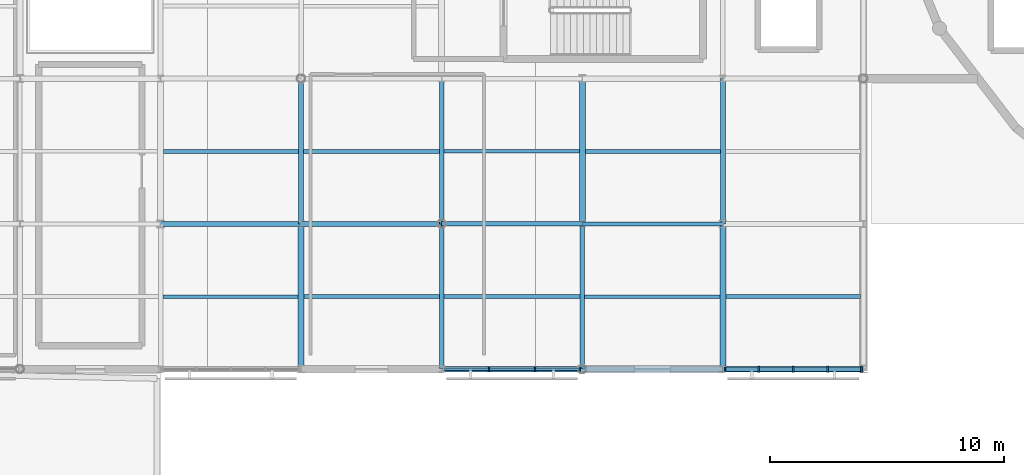
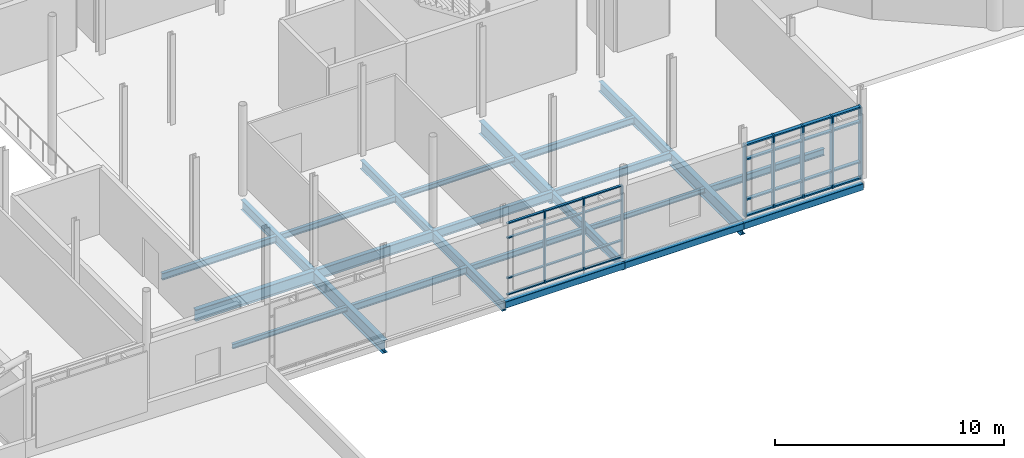
# One storey, part 23 of 84: 36 members, 24 beams, 2 elements without a shape of their own.
"""IFC4 building model written with IfcOpenShell, lengths in metres."""

from ifc_helpers import new_model, si_unit, direction, frame, origin, origin_2d, place, context, subcontext, project, spatial, rectangle, hollow_rectangle, i_section, extrude, material, layer, layer_set, material_profile, profile_set, type_object, element, aggregate, save


model = new_model("IFC4")

# Units and contexts
model_context = context("Model", 3, precision=1e-05, world=origin(), true_north=direction((0.0, 1.0)))
body_context = subcontext(model_context, "Body", "Model", "MODEL_VIEW")
ifc_project = project(units=[si_unit("LENGTHUNIT", "METRE"), si_unit("AREAUNIT", "SQUARE_METRE"), si_unit("VOLUMEUNIT", "CUBIC_METRE"), si_unit("PLANEANGLEUNIT", "RADIAN"), si_unit("MASSUNIT", "GRAM", prefix="KILO")], contexts=[model_context])

# Site, building, storey
site_placement = place(None, origin())
site = spatial("IfcSite", under=ifc_project, at=site_placement, CompositionType="ELEMENT")
building_placement = place(site_placement, origin())
building = spatial("IfcBuilding", under=site, at=building_placement, Name="Mirzam Square Science Centre", CompositionType="ELEMENT")
storey_placement = place(building_placement, frame((0.0, 0.0, 10.800048828125)))
storey = spatial("IfcBuildingStorey", under=building, at=storey_placement, Name="L02", CompositionType="ELEMENT", Elevation=10.800048828125)

# Beams
ifc_material_1 = material(Name="Steel S355", Category="steel")
ifc_material_profile_1 = material_profile(ifc_material_1, i_section(OverallWidth=0.1787109375, OverallDepth=0.409423828125, WebThickness=0.0087890625, FlangeThickness=0.014404296875, FilletRadius=0.01025390625, at=origin_2d()), Name="406x178x67UB")
ifc_profile_set_1 = profile_set([ifc_material_profile_1], Name="Steel S355")
beam_type_1 = type_object("IfcBeamType", Name="BM-UB406", PredefinedType="BEAM", material=ifc_profile_set_1)
beam_1_placement = place(storey_placement, frame((48.0, 43.39990234375, -0.46484375), z_axis=(1.0, 0.0, 0.0), x_axis=(0.0, 1.0, 0.0)))
element("IfcBeam", 1, at=beam_1_placement, inside=storey, type_object=beam_type_1, Name="L02 girder X9-8", PredefinedType="BEAM", context=body_context, shape_type="SweptSolid", body=[
    extrude(i_section(OverallWidth=0.1787109375, OverallDepth=0.409423828125, WebThickness=0.0087890625, FlangeThickness=0.014404296875, FilletRadius=0.01025390625, at=origin_2d()), origin(), (0.0, 0.0, 1.0), 6.0),
])
ifc_material_profile_2 = material_profile(ifc_material_1, i_section(OverallWidth=0.19140625, OverallDepth=0.4599609375, WebThickness=0.010009765625, FlangeThickness=0.01611328125, FilletRadius=0.01025390625, at=origin_2d()), Name="457x191x82UB")
ifc_profile_set_2 = profile_set([ifc_material_profile_2], Name="Steel S355")
beam_type_2 = type_object("IfcBeamType", Name="BM-UB457", PredefinedType="BEAM", material=ifc_profile_set_2)
beam_2_placement = place(storey_placement, frame((42.0, 43.39990234375, -0.489990234375), z_axis=(1.0, 0.0, 0.0), x_axis=(0.0, 1.0, 0.0)))
element("IfcBeam", 2, at=beam_2_placement, inside=storey, type_object=beam_type_2, Name="L02 girder X8-8", PredefinedType="BEAM", context=body_context, shape_type="SweptSolid", body=[
    extrude(i_section(OverallWidth=0.19140625, OverallDepth=0.4599609375, WebThickness=0.010009765625, FlangeThickness=0.01611328125, FilletRadius=0.01025390625, at=origin_2d()), origin(), (0.0, 0.0, 1.0), 6.0),
])
beam_3_placement = place(storey_placement, frame((42.0, 43.39990234375, -0.489990234375), z_axis=(0.0, 1.0, 0.0), x_axis=(-1.0, 0.0, 0.0)))
element("IfcBeam", 3, at=beam_3_placement, inside=storey, type_object=beam_type_2, Name="L02 girder Y8-8", PredefinedType="BEAM", context=body_context, shape_type="SweptSolid", body=[
    extrude(i_section(OverallWidth=0.19140625, OverallDepth=0.4599609375, WebThickness=0.010009765625, FlangeThickness=0.01611328125, FilletRadius=0.01025390625, at=origin_2d()), origin(), (0.0, 0.0, 1.0), 6.2001953125),
])
beam_4_placement = place(storey_placement, frame((48.0, 37.199951171875, -0.489990234375), z_axis=(0.0, 1.0, 0.0), x_axis=(-1.0, 0.0, 0.0)))
element("IfcBeam", 4, at=beam_4_placement, inside=storey, type_object=beam_type_2, Name="L02 girder Y9-7", PredefinedType="BEAM", context=body_context, shape_type="SweptSolid", body=[
    extrude(i_section(OverallWidth=0.19140625, OverallDepth=0.4599609375, WebThickness=0.010009765625, FlangeThickness=0.01611328125, FilletRadius=0.01025390625, at=origin_2d()), origin(), (0.0, 0.0, 1.0), 6.199951171875),
])
ifc_material_profile_3 = material_profile(ifc_material_1, i_section(OverallWidth=0.2099609375, OverallDepth=0.53662109375, WebThickness=0.0107421875, FlangeThickness=0.017333984375, FilletRadius=0.0126953125, at=origin_2d()), Name="533x210x101UB")
ifc_profile_set_3 = profile_set([ifc_material_profile_3], Name="Steel S355")
beam_type_3 = type_object("IfcBeamType", Name="BM-UB533", PredefinedType="BEAM", material=ifc_profile_set_3)
beam_5_placement = place(storey_placement, frame((36.0, 43.39990234375, -0.528564453125), z_axis=(1.0, 0.0, 0.0), x_axis=(0.0, 1.0, 0.0)))
element("IfcBeam", 5, at=beam_5_placement, inside=storey, type_object=beam_type_3, Name="L02 girder X7-8", PredefinedType="BEAM", context=body_context, shape_type="SweptSolid", body=[
    extrude(i_section(OverallWidth=0.2099609375, OverallDepth=0.53662109375, WebThickness=0.0107421875, FlangeThickness=0.017333984375, FilletRadius=0.0126953125, at=origin_2d()), origin(), (0.0, 0.0, 1.0), 6.0),
])
beam_6_placement = place(storey_placement, frame((36.0, 43.39990234375, -0.528564453125), z_axis=(0.0, 1.0, 0.0), x_axis=(-1.0, 0.0, 0.0)))
element("IfcBeam", 6, at=beam_6_placement, inside=storey, type_object=beam_type_3, Name="L02 girder Y7-8", PredefinedType="BEAM", context=body_context, shape_type="SweptSolid", body=[
    extrude(i_section(OverallWidth=0.2099609375, OverallDepth=0.53662109375, WebThickness=0.0107421875, FlangeThickness=0.017333984375, FilletRadius=0.0126953125, at=origin_2d()), origin(), (0.0, 0.0, 1.0), 6.2001953125),
])
beam_7_placement = place(storey_placement, frame((42.0, 37.199951171875, -0.528564453125), z_axis=(0.0, 1.0, 0.0), x_axis=(-1.0, 0.0, 0.0)))
element("IfcBeam", 7, at=beam_7_placement, inside=storey, type_object=beam_type_3, Name="L02 girder Y8-7", PredefinedType="BEAM", context=body_context, shape_type="SweptSolid", body=[
    extrude(i_section(OverallWidth=0.2099609375, OverallDepth=0.53662109375, WebThickness=0.0107421875, FlangeThickness=0.017333984375, FilletRadius=0.0126953125, at=origin_2d()), origin(), (0.0, 0.0, 1.0), 6.199951171875),
])
beam_8_placement = place(storey_placement, frame((54.0, 43.39990234375, -0.528564453125), z_axis=(0.0, 1.0, 0.0), x_axis=(-1.0, 0.0, 0.0)))
element("IfcBeam", 8, at=beam_8_placement, inside=storey, type_object=beam_type_3, Name="L02 girder Y10-8", PredefinedType="BEAM", context=body_context, shape_type="SweptSolid", body=[
    extrude(i_section(OverallWidth=0.2099609375, OverallDepth=0.53662109375, WebThickness=0.0107421875, FlangeThickness=0.017333984375, FilletRadius=0.0126953125, at=origin_2d()), origin(), (0.0, 0.0, 1.0), 6.2001953125),
])
ifc_material_profile_4 = material_profile(ifc_material_1, i_section(OverallWidth=0.22900390625, OverallDepth=0.6123046875, WebThickness=0.011962890625, FlangeThickness=0.01953125, FilletRadius=0.0126953125, at=origin_2d()), Name="610x229x125UB")
ifc_profile_set_4 = profile_set([ifc_material_profile_4], Name="Steel S355")
beam_type_4 = type_object("IfcBeamType", Name="BM-UB610", PredefinedType="BEAM", material=ifc_profile_set_4)
beam_9_placement = place(storey_placement, frame((30.0, 43.39990234375, -0.566162109375), z_axis=(1.0, 0.0, 0.0), x_axis=(0.0, 1.0, 0.0)))
element("IfcBeam", 9, at=beam_9_placement, inside=storey, type_object=beam_type_4, Name="L02 girder X6-8", PredefinedType="BEAM", context=body_context, shape_type="SweptSolid", body=[
    extrude(i_section(OverallWidth=0.22900390625, OverallDepth=0.6123046875, WebThickness=0.011962890625, FlangeThickness=0.01953125, FilletRadius=0.0126953125, at=origin_2d()), origin(), (0.0, 0.0, 1.0), 6.0),
])
ifc_material_profile_5 = material_profile(ifc_material_1, i_section(OverallWidth=0.25439453125, OverallDepth=0.6875, WebThickness=0.01318359375, FlangeThickness=0.02099609375, FilletRadius=0.01513671875, at=origin_2d()), Name="686x254x152UB")
ifc_profile_set_5 = profile_set([ifc_material_profile_5], Name="Steel S355")
beam_type_5 = type_object("IfcBeamType", Name="BM-UB686", PredefinedType="BEAM", material=ifc_profile_set_5)
beam_10_placement = place(storey_placement, frame((36.0, 37.199951171875, -0.603759765625), z_axis=(0.0, 1.0, 0.0), x_axis=(-1.0, 0.0, 0.0)))
element("IfcBeam", 10, at=beam_10_placement, inside=storey, type_object=beam_type_5, Name="L02 girder Y7-7", PredefinedType="BEAM", context=body_context, shape_type="SweptSolid", body=[
    extrude(i_section(OverallWidth=0.25439453125, OverallDepth=0.6875, WebThickness=0.01318359375, FlangeThickness=0.02099609375, FilletRadius=0.01513671875, at=origin_2d()), origin(), (0.0, 0.0, 1.0), 6.199951171875),
])
beam_11_placement = place(storey_placement, frame((48.0, 43.39990234375, -0.603759765625), z_axis=(0.0, 1.0, 0.0), x_axis=(-1.0, 0.0, 0.0)))
element("IfcBeam", 11, at=beam_11_placement, inside=storey, type_object=beam_type_5, Name="L02 girder Y9-8", PredefinedType="BEAM", context=body_context, shape_type="SweptSolid", body=[
    extrude(i_section(OverallWidth=0.25439453125, OverallDepth=0.6875, WebThickness=0.01318359375, FlangeThickness=0.02099609375, FilletRadius=0.01513671875, at=origin_2d()), origin(), (0.0, 0.0, 1.0), 6.2001953125),
])
beam_12_placement = place(storey_placement, frame((54.0, 37.199951171875, -0.603759765625), z_axis=(0.0, 1.0, 0.0), x_axis=(-1.0, 0.0, 0.0)))
element("IfcBeam", 12, at=beam_12_placement, inside=storey, type_object=beam_type_5, Name="L02 girder Y10-7", PredefinedType="BEAM", context=body_context, shape_type="SweptSolid", body=[
    extrude(i_section(OverallWidth=0.25439453125, OverallDepth=0.6875, WebThickness=0.01318359375, FlangeThickness=0.02099609375, FilletRadius=0.01513671875, at=origin_2d()), origin(), (0.0, 0.0, 1.0), 6.199951171875),
])

# Curtain wall, members
ifc_material_2 = material(Name="Anodised Aluminium and Low-E Solar Glass", Category="aluminium")
ifc_layer_1 = layer(ifc_material_2, 0.199951171875)
ifc_layer_set_1 = layer_set([ifc_layer_1], Name="CW-PARK-B")
curtain_wall_type_1 = type_object("IfcCurtainWallType", Name="CW-PARK-B", PredefinedType="USERDEFINED", material=ifc_layer_set_1)
curtain_wall_1_placement = place(storey_placement, origin())
curtain_wall_1 = element("IfcCurtainWall", 13, at=curtain_wall_1_placement, inside=storey, type_object=curtain_wall_type_1, Name="L02 unitised curtain wall 29", ObjectType="UNITISED CURTAIN WALL", PredefinedType="USERDEFINED")
ifc_material_3 = material(Name="Anodised Architectural Aluminium 6063-T6", Category="aluminium")
ifc_material_profile_6 = material_profile(ifc_material_3, rectangle(XDim=0.06005859375, YDim=0.159912109375, at=origin_2d()), Name="ALU-MULL-160x60x4")
ifc_profile_set_6 = profile_set([ifc_material_profile_6], Name="Anodised Architectural Aluminium 6063-T6")
member_type_1 = type_object("IfcMemberType", Name="CWM-160", PredefinedType="MULLION", material=ifc_profile_set_6)
member_1_placement = place(storey_placement, frame((44.018310546875, 37.199951171875, 0.0), z_axis=(0.0, 0.0, 1.0), x_axis=(1.0, 0.0, 0.0)))
member_1 = element("IfcMember", 14, at=member_1_placement, type_object=member_type_1, Name="CW-02 mullion 2", PredefinedType="MULLION", context=body_context, shape_type="SweptSolid", body=[
    extrude(rectangle(XDim=0.06005859375, YDim=0.159912109375, at=origin_2d()), origin(), (0.0, 0.0, 1.0), 3.83984375),
])
member_2_placement = place(storey_placement, frame((45.981689453125, 37.199951171875, 0.0), z_axis=(0.0, 0.0, 1.0), x_axis=(1.0, 0.0, 0.0)))
member_2 = element("IfcMember", 15, at=member_2_placement, type_object=member_type_1, Name="CW-02 mullion 3", PredefinedType="MULLION", context=body_context, shape_type="SweptSolid", body=[
    extrude(rectangle(XDim=0.06005859375, YDim=0.159912109375, at=origin_2d()), origin(), (0.0, 0.0, 1.0), 3.83984375),
])
member_3_placement = place(storey_placement, frame((47.9150390625, 37.199951171875, 0.0), z_axis=(0.0, 0.0, 1.0), x_axis=(1.0, 0.0, 0.0)))
member_3 = element("IfcMember", 16, at=member_3_placement, type_object=member_type_1, Name="CW-02 mullion 4", PredefinedType="MULLION", context=body_context, shape_type="SweptSolid", body=[
    extrude(rectangle(XDim=0.06005859375, YDim=0.159912109375, at=origin_2d()), origin(), (0.0, 0.0, 1.0), 3.83984375),
])

ifc_layer_2 = layer(ifc_material_2, 0.159912109375)
ifc_layer_set_2 = layer_set([ifc_layer_2], Name="CW-COURT-B")
curtain_wall_type_2 = type_object("IfcCurtainWallType", Name="CW-COURT-B", PredefinedType="USERDEFINED", material=ifc_layer_set_2)
curtain_wall_2_placement = place(storey_placement, origin())
curtain_wall_2 = element("IfcCurtainWall", 17, at=curtain_wall_2_placement, inside=storey, type_object=curtain_wall_type_2, Name="L02 unitised curtain wall 30", ObjectType="UNITISED CURTAIN WALL", PredefinedType="USERDEFINED")
ifc_material_profile_7 = material_profile(ifc_material_3, rectangle(XDim=0.074951171875, YDim=0.239990234375, at=origin_2d()), Name="ALU-MULL-240x75x5")
ifc_profile_set_7 = profile_set([ifc_material_profile_7], Name="Anodised Architectural Aluminium 6063-T6")
member_type_2 = type_object("IfcMemberType", Name="CWM-240", PredefinedType="MULLION", material=ifc_profile_set_7)
member_4_placement = place(storey_placement, frame((54.092529296875, 37.199951171875, 0.0), z_axis=(0.0, 0.0, 1.0), x_axis=(1.0, 0.0, 0.0)))
member_4 = element("IfcMember", 18, at=member_4_placement, type_object=member_type_2, Name="CW-04 mullion 1", PredefinedType="MULLION", context=body_context, shape_type="SweptSolid", body=[
    extrude(rectangle(XDim=0.074951171875, YDim=0.239990234375, at=origin_2d()), origin(), (0.0, 0.0, 1.0), 3.83984375),
])
member_5_placement = place(storey_placement, frame((55.527587890625, 37.199951171875, 0.0), z_axis=(0.0, 0.0, 1.0), x_axis=(1.0, 0.0, 0.0)))
member_5 = element("IfcMember", 19, at=member_5_placement, type_object=member_type_2, Name="CW-04 mullion 2", PredefinedType="MULLION", context=body_context, shape_type="SweptSolid", body=[
    extrude(rectangle(XDim=0.074951171875, YDim=0.239990234375, at=origin_2d()), origin(), (0.0, 0.0, 1.0), 3.83984375),
])
member_6_placement = place(storey_placement, frame((57.0, 37.199951171875, 0.0), z_axis=(0.0, 0.0, 1.0), x_axis=(1.0, 0.0, 0.0)))
member_6 = element("IfcMember", 20, at=member_6_placement, type_object=member_type_2, Name="CW-04 mullion 3", PredefinedType="MULLION", context=body_context, shape_type="SweptSolid", body=[
    extrude(rectangle(XDim=0.074951171875, YDim=0.239990234375, at=origin_2d()), origin(), (0.0, 0.0, 1.0), 3.83984375),
])
member_7_placement = place(storey_placement, frame((58.472412109375, 37.199951171875, 0.0), z_axis=(0.0, 0.0, 1.0), x_axis=(1.0, 0.0, 0.0)))
member_7 = element("IfcMember", 21, at=member_7_placement, type_object=member_type_2, Name="CW-04 mullion 4", PredefinedType="MULLION", context=body_context, shape_type="SweptSolid", body=[
    extrude(rectangle(XDim=0.074951171875, YDim=0.239990234375, at=origin_2d()), origin(), (0.0, 0.0, 1.0), 3.83984375),
])
member_8_placement = place(storey_placement, frame((59.907470703125, 37.199951171875, 0.0), z_axis=(0.0, 0.0, 1.0), x_axis=(1.0, 0.0, 0.0)))
member_8 = element("IfcMember", 22, at=member_8_placement, type_object=member_type_2, Name="CW-04 mullion 5", PredefinedType="MULLION", context=body_context, shape_type="SweptSolid", body=[
    extrude(rectangle(XDim=0.074951171875, YDim=0.239990234375, at=origin_2d()), origin(), (0.0, 0.0, 1.0), 3.83984375),
])

# Member
ifc_material_profile_8 = material_profile(ifc_material_3, rectangle(XDim=0.1201171875, YDim=0.06005859375, at=origin_2d()), Name="ALU-TRAN-120x60x4")
ifc_profile_set_8 = profile_set([ifc_material_profile_8], Name="Anodised Architectural Aluminium 6063-T6")
member_type_3 = type_object("IfcMemberType", Name="CWT-120", PredefinedType="USERDEFINED", material=ifc_profile_set_8)
member_9_placement = place(storey_placement, frame((42.114990234375, 37.199951171875, 0.030029296875), z_axis=(1.0, 0.0, 0.0), x_axis=(0.0, 1.0, 0.0)))
member_9 = element("IfcMember", 23, at=member_9_placement, type_object=member_type_3, Name="CW-02 transom 1.1", ObjectType="TRANSOM", PredefinedType="USERDEFINED", context=body_context, shape_type="SweptSolid", body=[
    extrude(rectangle(XDim=0.1201171875, YDim=0.06005859375, at=origin_2d()), origin(), (0.0, 0.0, 1.0), 1.873291015625),
])

member_10_placement = place(storey_placement, frame((42.114990234375, 37.199951171875, 0.89990234375), z_axis=(1.0, 0.0, 0.0), x_axis=(0.0, 1.0, 0.0)))
member_10 = element("IfcMember", 24, at=member_10_placement, type_object=member_type_3, Name="CW-02 transom 1.2", ObjectType="TRANSOM", PredefinedType="USERDEFINED", context=body_context, shape_type="SweptSolid", body=[
    extrude(rectangle(XDim=0.1201171875, YDim=0.06005859375, at=origin_2d()), origin(), (0.0, 0.0, 1.0), 1.873291015625),
])

member_11_placement = place(storey_placement, frame((42.114990234375, 37.199951171875, 3.0400390625), z_axis=(1.0, 0.0, 0.0), x_axis=(0.0, 1.0, 0.0)))
member_11 = element("IfcMember", 25, at=member_11_placement, type_object=member_type_3, Name="CW-02 transom 1.3", ObjectType="TRANSOM", PredefinedType="USERDEFINED", context=body_context, shape_type="SweptSolid", body=[
    extrude(rectangle(XDim=0.1201171875, YDim=0.06005859375, at=origin_2d()), origin(), (0.0, 0.0, 1.0), 1.873291015625),
])

member_12_placement = place(storey_placement, frame((42.114990234375, 37.199951171875, 3.81005859375), z_axis=(1.0, 0.0, 0.0), x_axis=(0.0, 1.0, 0.0)))
member_12 = element("IfcMember", 26, at=member_12_placement, type_object=member_type_3, Name="CW-02 transom 1.4", ObjectType="TRANSOM", PredefinedType="USERDEFINED", context=body_context, shape_type="SweptSolid", body=[
    extrude(rectangle(XDim=0.1201171875, YDim=0.06005859375, at=origin_2d()), origin(), (0.0, 0.0, 1.0), 1.873291015625),
])

member_13_placement = place(storey_placement, frame((44.04833984375, 37.199951171875, 0.030029296875), z_axis=(1.0, 0.0, 0.0), x_axis=(0.0, 1.0, 0.0)))
member_13 = element("IfcMember", 27, at=member_13_placement, type_object=member_type_3, Name="CW-02 transom 2.1", ObjectType="TRANSOM", PredefinedType="USERDEFINED", context=body_context, shape_type="SweptSolid", body=[
    extrude(rectangle(XDim=0.1201171875, YDim=0.06005859375, at=origin_2d()), origin(), (0.0, 0.0, 1.0), 1.9033203125),
])

member_14_placement = place(storey_placement, frame((44.04833984375, 37.199951171875, 0.89990234375), z_axis=(1.0, 0.0, 0.0), x_axis=(0.0, 1.0, 0.0)))
member_14 = element("IfcMember", 28, at=member_14_placement, type_object=member_type_3, Name="CW-02 transom 2.2", ObjectType="TRANSOM", PredefinedType="USERDEFINED", context=body_context, shape_type="SweptSolid", body=[
    extrude(rectangle(XDim=0.1201171875, YDim=0.06005859375, at=origin_2d()), origin(), (0.0, 0.0, 1.0), 1.9033203125),
])

member_15_placement = place(storey_placement, frame((44.04833984375, 37.199951171875, 3.0400390625), z_axis=(1.0, 0.0, 0.0), x_axis=(0.0, 1.0, 0.0)))
member_15 = element("IfcMember", 29, at=member_15_placement, type_object=member_type_3, Name="CW-02 transom 2.3", ObjectType="TRANSOM", PredefinedType="USERDEFINED", context=body_context, shape_type="SweptSolid", body=[
    extrude(rectangle(XDim=0.1201171875, YDim=0.06005859375, at=origin_2d()), origin(), (0.0, 0.0, 1.0), 1.9033203125),
])

member_16_placement = place(storey_placement, frame((44.04833984375, 37.199951171875, 3.81005859375), z_axis=(1.0, 0.0, 0.0), x_axis=(0.0, 1.0, 0.0)))
member_16 = element("IfcMember", 30, at=member_16_placement, type_object=member_type_3, Name="CW-02 transom 2.4", ObjectType="TRANSOM", PredefinedType="USERDEFINED", context=body_context, shape_type="SweptSolid", body=[
    extrude(rectangle(XDim=0.1201171875, YDim=0.06005859375, at=origin_2d()), origin(), (0.0, 0.0, 1.0), 1.9033203125),
])

member_17_placement = place(storey_placement, frame((46.01171875, 37.199951171875, 0.030029296875), z_axis=(1.0, 0.0, 0.0), x_axis=(0.0, 1.0, 0.0)))
member_17 = element("IfcMember", 31, at=member_17_placement, type_object=member_type_3, Name="CW-02 transom 3.1", ObjectType="TRANSOM", PredefinedType="USERDEFINED", context=body_context, shape_type="SweptSolid", body=[
    extrude(rectangle(XDim=0.1201171875, YDim=0.06005859375, at=origin_2d()), origin(), (0.0, 0.0, 1.0), 1.873291015625),
])

member_18_placement = place(storey_placement, frame((46.01171875, 37.199951171875, 0.89990234375), z_axis=(1.0, 0.0, 0.0), x_axis=(0.0, 1.0, 0.0)))
member_18 = element("IfcMember", 32, at=member_18_placement, type_object=member_type_3, Name="CW-02 transom 3.2", ObjectType="TRANSOM", PredefinedType="USERDEFINED", context=body_context, shape_type="SweptSolid", body=[
    extrude(rectangle(XDim=0.1201171875, YDim=0.06005859375, at=origin_2d()), origin(), (0.0, 0.0, 1.0), 1.873291015625),
])

member_19_placement = place(storey_placement, frame((46.01171875, 37.199951171875, 3.0400390625), z_axis=(1.0, 0.0, 0.0), x_axis=(0.0, 1.0, 0.0)))
member_19 = element("IfcMember", 33, at=member_19_placement, type_object=member_type_3, Name="CW-02 transom 3.3", ObjectType="TRANSOM", PredefinedType="USERDEFINED", context=body_context, shape_type="SweptSolid", body=[
    extrude(rectangle(XDim=0.1201171875, YDim=0.06005859375, at=origin_2d()), origin(), (0.0, 0.0, 1.0), 1.873291015625),
])

member_20_placement = place(storey_placement, frame((46.01171875, 37.199951171875, 3.81005859375), z_axis=(1.0, 0.0, 0.0), x_axis=(0.0, 1.0, 0.0)))
member_20 = element("IfcMember", 34, at=member_20_placement, type_object=member_type_3, Name="CW-02 transom 3.4", ObjectType="TRANSOM", PredefinedType="USERDEFINED", context=body_context, shape_type="SweptSolid", body=[
    extrude(rectangle(XDim=0.1201171875, YDim=0.06005859375, at=origin_2d()), origin(), (0.0, 0.0, 1.0), 1.873291015625),
])

aggregate(curtain_wall_1, [member_1, member_2, member_3, member_9, member_10, member_11, member_12, member_13, member_14, member_15, member_16, member_17, member_18, member_19, member_20])

ifc_material_profile_9 = material_profile(ifc_material_3, rectangle(XDim=0.179931640625, YDim=0.074951171875, at=origin_2d()), Name="ALU-TRAN-180x75x5")
ifc_profile_set_9 = profile_set([ifc_material_profile_9], Name="Anodised Architectural Aluminium 6063-T6")
member_type_4 = type_object("IfcMemberType", Name="CWT-180", PredefinedType="USERDEFINED", material=ifc_profile_set_9)
member_21_placement = place(storey_placement, frame((54.1298828125, 37.199951171875, 0.037353515625), z_axis=(1.0, 0.0, 0.0), x_axis=(0.0, 1.0, 0.0)))
member_21 = element("IfcMember", 35, at=member_21_placement, type_object=member_type_4, Name="CW-04 transom 1.1", ObjectType="TRANSOM", PredefinedType="USERDEFINED", context=body_context, shape_type="SweptSolid", body=[
    extrude(rectangle(XDim=0.179931640625, YDim=0.074951171875, at=origin_2d()), origin(), (0.0, 0.0, 1.0), 1.360107421875),
])

member_22_placement = place(storey_placement, frame((54.1298828125, 37.199951171875, 0.89990234375), z_axis=(1.0, 0.0, 0.0), x_axis=(0.0, 1.0, 0.0)))
member_22 = element("IfcMember", 36, at=member_22_placement, type_object=member_type_4, Name="CW-04 transom 1.2", ObjectType="TRANSOM", PredefinedType="USERDEFINED", context=body_context, shape_type="SweptSolid", body=[
    extrude(rectangle(XDim=0.179931640625, YDim=0.074951171875, at=origin_2d()), origin(), (0.0, 0.0, 1.0), 1.360107421875),
])

member_23_placement = place(storey_placement, frame((54.1298828125, 37.199951171875, 3.0400390625), z_axis=(1.0, 0.0, 0.0), x_axis=(0.0, 1.0, 0.0)))
member_23 = element("IfcMember", 37, at=member_23_placement, type_object=member_type_4, Name="CW-04 transom 1.3", ObjectType="TRANSOM", PredefinedType="USERDEFINED", context=body_context, shape_type="SweptSolid", body=[
    extrude(rectangle(XDim=0.179931640625, YDim=0.074951171875, at=origin_2d()), origin(), (0.0, 0.0, 1.0), 1.360107421875),
])

member_24_placement = place(storey_placement, frame((54.1298828125, 37.199951171875, 3.802490234375), z_axis=(1.0, 0.0, 0.0), x_axis=(0.0, 1.0, 0.0)))
member_24 = element("IfcMember", 38, at=member_24_placement, type_object=member_type_4, Name="CW-04 transom 1.4", ObjectType="TRANSOM", PredefinedType="USERDEFINED", context=body_context, shape_type="SweptSolid", body=[
    extrude(rectangle(XDim=0.179931640625, YDim=0.074951171875, at=origin_2d()), origin(), (0.0, 0.0, 1.0), 1.360107421875),
])

member_25_placement = place(storey_placement, frame((55.56494140625, 37.199951171875, 0.037353515625), z_axis=(1.0, 0.0, 0.0), x_axis=(0.0, 1.0, 0.0)))
member_25 = element("IfcMember", 39, at=member_25_placement, type_object=member_type_4, Name="CW-04 transom 2.1", ObjectType="TRANSOM", PredefinedType="USERDEFINED", context=body_context, shape_type="SweptSolid", body=[
    extrude(rectangle(XDim=0.179931640625, YDim=0.074951171875, at=origin_2d()), origin(), (0.0, 0.0, 1.0), 1.3974609375),
])

member_26_placement = place(storey_placement, frame((55.56494140625, 37.199951171875, 0.89990234375), z_axis=(1.0, 0.0, 0.0), x_axis=(0.0, 1.0, 0.0)))
member_26 = element("IfcMember", 40, at=member_26_placement, type_object=member_type_4, Name="CW-04 transom 2.2", ObjectType="TRANSOM", PredefinedType="USERDEFINED", context=body_context, shape_type="SweptSolid", body=[
    extrude(rectangle(XDim=0.179931640625, YDim=0.074951171875, at=origin_2d()), origin(), (0.0, 0.0, 1.0), 1.3974609375),
])

member_27_placement = place(storey_placement, frame((55.56494140625, 37.199951171875, 3.0400390625), z_axis=(1.0, 0.0, 0.0), x_axis=(0.0, 1.0, 0.0)))
member_27 = element("IfcMember", 41, at=member_27_placement, type_object=member_type_4, Name="CW-04 transom 2.3", ObjectType="TRANSOM", PredefinedType="USERDEFINED", context=body_context, shape_type="SweptSolid", body=[
    extrude(rectangle(XDim=0.179931640625, YDim=0.074951171875, at=origin_2d()), origin(), (0.0, 0.0, 1.0), 1.3974609375),
])

member_28_placement = place(storey_placement, frame((55.56494140625, 37.199951171875, 3.802490234375), z_axis=(1.0, 0.0, 0.0), x_axis=(0.0, 1.0, 0.0)))
member_28 = element("IfcMember", 42, at=member_28_placement, type_object=member_type_4, Name="CW-04 transom 2.4", ObjectType="TRANSOM", PredefinedType="USERDEFINED", context=body_context, shape_type="SweptSolid", body=[
    extrude(rectangle(XDim=0.179931640625, YDim=0.074951171875, at=origin_2d()), origin(), (0.0, 0.0, 1.0), 1.3974609375),
])

member_29_placement = place(storey_placement, frame((57.03759765625, 37.199951171875, 0.037353515625), z_axis=(1.0, 0.0, 0.0), x_axis=(0.0, 1.0, 0.0)))
member_29 = element("IfcMember", 43, at=member_29_placement, type_object=member_type_4, Name="CW-04 transom 3.1", ObjectType="TRANSOM", PredefinedType="USERDEFINED", context=body_context, shape_type="SweptSolid", body=[
    extrude(rectangle(XDim=0.179931640625, YDim=0.074951171875, at=origin_2d()), origin(), (0.0, 0.0, 1.0), 1.3974609375),
])

member_30_placement = place(storey_placement, frame((57.03759765625, 37.199951171875, 0.89990234375), z_axis=(1.0, 0.0, 0.0), x_axis=(0.0, 1.0, 0.0)))
member_30 = element("IfcMember", 44, at=member_30_placement, type_object=member_type_4, Name="CW-04 transom 3.2", ObjectType="TRANSOM", PredefinedType="USERDEFINED", context=body_context, shape_type="SweptSolid", body=[
    extrude(rectangle(XDim=0.179931640625, YDim=0.074951171875, at=origin_2d()), origin(), (0.0, 0.0, 1.0), 1.3974609375),
])

member_31_placement = place(storey_placement, frame((57.03759765625, 37.199951171875, 3.0400390625), z_axis=(1.0, 0.0, 0.0), x_axis=(0.0, 1.0, 0.0)))
member_31 = element("IfcMember", 45, at=member_31_placement, type_object=member_type_4, Name="CW-04 transom 3.3", ObjectType="TRANSOM", PredefinedType="USERDEFINED", context=body_context, shape_type="SweptSolid", body=[
    extrude(rectangle(XDim=0.179931640625, YDim=0.074951171875, at=origin_2d()), origin(), (0.0, 0.0, 1.0), 1.3974609375),
])

member_32_placement = place(storey_placement, frame((57.03759765625, 37.199951171875, 3.802490234375), z_axis=(1.0, 0.0, 0.0), x_axis=(0.0, 1.0, 0.0)))
member_32 = element("IfcMember", 46, at=member_32_placement, type_object=member_type_4, Name="CW-04 transom 3.4", ObjectType="TRANSOM", PredefinedType="USERDEFINED", context=body_context, shape_type="SweptSolid", body=[
    extrude(rectangle(XDim=0.179931640625, YDim=0.074951171875, at=origin_2d()), origin(), (0.0, 0.0, 1.0), 1.3974609375),
])

member_33_placement = place(storey_placement, frame((58.510009765625, 37.199951171875, 0.037353515625), z_axis=(1.0, 0.0, 0.0), x_axis=(0.0, 1.0, 0.0)))
member_33 = element("IfcMember", 47, at=member_33_placement, type_object=member_type_4, Name="CW-04 transom 4.1", ObjectType="TRANSOM", PredefinedType="USERDEFINED", context=body_context, shape_type="SweptSolid", body=[
    extrude(rectangle(XDim=0.179931640625, YDim=0.074951171875, at=origin_2d()), origin(), (0.0, 0.0, 1.0), 1.360107421875),
])

member_34_placement = place(storey_placement, frame((58.510009765625, 37.199951171875, 0.89990234375), z_axis=(1.0, 0.0, 0.0), x_axis=(0.0, 1.0, 0.0)))
member_34 = element("IfcMember", 48, at=member_34_placement, type_object=member_type_4, Name="CW-04 transom 4.2", ObjectType="TRANSOM", PredefinedType="USERDEFINED", context=body_context, shape_type="SweptSolid", body=[
    extrude(rectangle(XDim=0.179931640625, YDim=0.074951171875, at=origin_2d()), origin(), (0.0, 0.0, 1.0), 1.360107421875),
])

member_35_placement = place(storey_placement, frame((58.510009765625, 37.199951171875, 3.0400390625), z_axis=(1.0, 0.0, 0.0), x_axis=(0.0, 1.0, 0.0)))
member_35 = element("IfcMember", 49, at=member_35_placement, type_object=member_type_4, Name="CW-04 transom 4.3", ObjectType="TRANSOM", PredefinedType="USERDEFINED", context=body_context, shape_type="SweptSolid", body=[
    extrude(rectangle(XDim=0.179931640625, YDim=0.074951171875, at=origin_2d()), origin(), (0.0, 0.0, 1.0), 1.360107421875),
])

member_36_placement = place(storey_placement, frame((58.510009765625, 37.199951171875, 3.802490234375), z_axis=(1.0, 0.0, 0.0), x_axis=(0.0, 1.0, 0.0)))
member_36 = element("IfcMember", 50, at=member_36_placement, type_object=member_type_4, Name="CW-04 transom 4.4", ObjectType="TRANSOM", PredefinedType="USERDEFINED", context=body_context, shape_type="SweptSolid", body=[
    extrude(rectangle(XDim=0.179931640625, YDim=0.074951171875, at=origin_2d()), origin(), (0.0, 0.0, 1.0), 1.360107421875),
])

aggregate(curtain_wall_2, [member_4, member_5, member_6, member_7, member_8, member_21, member_22, member_23, member_24, member_25, member_26, member_27, member_28, member_29, member_30, member_31, member_32, member_33, member_34, member_35, member_36])

# Beams
ifc_material_profile_10 = material_profile(ifc_material_1, i_section(OverallWidth=0.146484375, OverallDepth=0.256103515625, WebThickness=0.00634765625, FlangeThickness=0.010986328125, FilletRadius=0.007568359375, at=origin_2d()), Name="254x146x37UB")
ifc_profile_set_10 = profile_set([ifc_material_profile_10], Name="Steel S355")
beam_type_6 = type_object("IfcBeamType", Name="JS-UB254", PredefinedType="JOIST", material=ifc_profile_set_10)
for number, where, z_axis, x_axis, name in (
    (51, (30.095703125, 40.300048828125, -0.387939453125), (1.0, 0.0, 0.0), (0.0, 1.0, 0.0), "L02 composite joist 6-7"),
    (52, (42.095703125, 46.5, -0.387939453125), (1.0, 0.0, 0.0), (0.0, 1.0, 0.0), "L02 composite joist 8-8"),
    (53, (48.095703125, 40.300048828125, -0.387939453125), (1.0, 0.0, 0.0), (0.0, 1.0, 0.0), "L02 composite joist 9-7"),
):
    element("IfcBeam", number, at=place(storey_placement, frame(where, z_axis=z_axis, x_axis=x_axis)), inside=storey, type_object=beam_type_6, Name=name, PredefinedType="JOIST", context=body_context, shape_type="SweptSolid", body=[
        extrude(i_section(OverallWidth=0.146484375, OverallDepth=0.256103515625, WebThickness=0.00634765625, FlangeThickness=0.010986328125, FilletRadius=0.007568359375, at=origin_2d()), origin(), (0.0, 0.0, 1.0), 5.777099609375),
    ])
ifc_material_profile_11 = material_profile(ifc_material_1, i_section(OverallWidth=0.165771484375, OverallDepth=0.306640625, WebThickness=0.006591796875, FlangeThickness=0.01171875, FilletRadius=0.0087890625, at=origin_2d()), Name="305x165x46UB")
ifc_profile_set_11 = profile_set([ifc_material_profile_11], Name="Steel S355")
beam_type_7 = type_object("IfcBeamType", Name="JS-UB305", PredefinedType="JOIST", material=ifc_profile_set_11)
for number, where, z_axis, x_axis, name in (
    (54, (36.10498046875, 46.5, -0.413330078125), (1.0, 0.0, 0.0), (0.0, 1.0, 0.0), "L02 composite joist 7-8"),
    (55, (42.10498046875, 40.300048828125, -0.413330078125), (1.0, 0.0, 0.0), (0.0, 1.0, 0.0), "L02 composite joist 8-7"),
):
    element("IfcBeam", number, at=place(storey_placement, frame(where, z_axis=z_axis, x_axis=x_axis)), inside=storey, type_object=beam_type_7, Name=name, PredefinedType="JOIST", context=body_context, shape_type="SweptSolid", body=[
        extrude(i_section(OverallWidth=0.165771484375, OverallDepth=0.306640625, WebThickness=0.006591796875, FlangeThickness=0.01171875, FilletRadius=0.0087890625, at=origin_2d()), origin(), (0.0, 0.0, 1.0), 5.79931640625),
    ])
ifc_material_profile_12 = material_profile(ifc_material_1, i_section(OverallWidth=0.172119140625, OverallDepth=0.35791015625, WebThickness=0.008056640625, FlangeThickness=0.012939453125, FilletRadius=0.01025390625, at=origin_2d()), Name="356x171x57UB")
ifc_profile_set_12 = profile_set([ifc_material_profile_12], Name="Steel S355")
beam_type_8 = type_object("IfcBeamType", Name="JS-UB356", PredefinedType="JOIST", material=ifc_profile_set_12)
for number, where, z_axis, x_axis, name in (
    (56, (30.127197265625, 46.5, -0.43896484375), (1.0, 0.0, 0.0), (0.0, 1.0, 0.0), "L02 composite joist 6-8"),
    (57, (36.127197265625, 40.300048828125, -0.43896484375), (1.0, 0.0, 0.0), (0.0, 1.0, 0.0), "L02 composite joist 7-7"),
    (58, (48.127197265625, 46.5, -0.43896484375), (1.0, 0.0, 0.0), (0.0, 1.0, 0.0), "L02 composite joist 9-8"),
):
    element("IfcBeam", number, at=place(storey_placement, frame(where, z_axis=z_axis, x_axis=x_axis)), inside=storey, type_object=beam_type_8, Name=name, PredefinedType="JOIST", context=body_context, shape_type="SweptSolid", body=[
        extrude(i_section(OverallWidth=0.172119140625, OverallDepth=0.35791015625, WebThickness=0.008056640625, FlangeThickness=0.012939453125, FilletRadius=0.01025390625, at=origin_2d()), origin(), (0.0, 0.0, 1.0), 5.767822265625),
    ])
beam_13_placement = place(storey_placement, frame((54.127197265625, 40.300048828125, -0.43896484375), z_axis=(1.0, 0.0, 0.0), x_axis=(0.0, 1.0, 0.0)))
element("IfcBeam", 59, at=beam_13_placement, inside=storey, type_object=beam_type_8, Name="L02 composite joist 10-7", PredefinedType="JOIST", context=body_context, shape_type="SweptSolid", body=[
    extrude(i_section(OverallWidth=0.172119140625, OverallDepth=0.35791015625, WebThickness=0.008056640625, FlangeThickness=0.012939453125, FilletRadius=0.01025390625, at=origin_2d()), origin(), (0.0, 0.0, 1.0), 5.747802734375),
])
ifc_material_profile_13 = material_profile(ifc_material_1, hollow_rectangle(XDim=0.25, YDim=0.35009765625, WallThickness=0.012451171875, InnerFilletRadius=0.012451171875, OuterFilletRadius=0.02490234375, at=origin_2d()), Name="350x250x12.5RHS")
ifc_profile_set_13 = profile_set([ifc_material_profile_13], Name="Steel S355")
beam_type_9 = type_object("IfcBeamType", Name="SP-RHS350", PredefinedType="SPANDREL", material=ifc_profile_set_13)
for number, where, z_axis, x_axis, name in (
    (60, (42.0, 37.199951171875, -0.43505859375), (1.0, 0.0, 0.0), (0.0, 1.0, 0.0), "L02 girder X8-7"),
    (61, (48.0, 37.199951171875, -0.43505859375), (1.0, 0.0, 0.0), (0.0, 1.0, 0.0), "L02 girder X9-7"),
    (62, (54.0, 37.199951171875, -0.43505859375), (1.0, 0.0, 0.0), (0.0, 1.0, 0.0), "L02 girder X10-7"),
):
    element("IfcBeam", number, at=place(storey_placement, frame(where, z_axis=z_axis, x_axis=x_axis)), inside=storey, type_object=beam_type_9, Name=name, PredefinedType="SPANDREL", context=body_context, shape_type="SweptSolid", body=[
        extrude(hollow_rectangle(XDim=0.25, YDim=0.35009765625, WallThickness=0.012451171875, InnerFilletRadius=0.012451171875, OuterFilletRadius=0.02490234375, at=origin_2d()), origin(), (0.0, 0.0, 1.0), 6.0),
    ])

save(model, "model.ifc")
